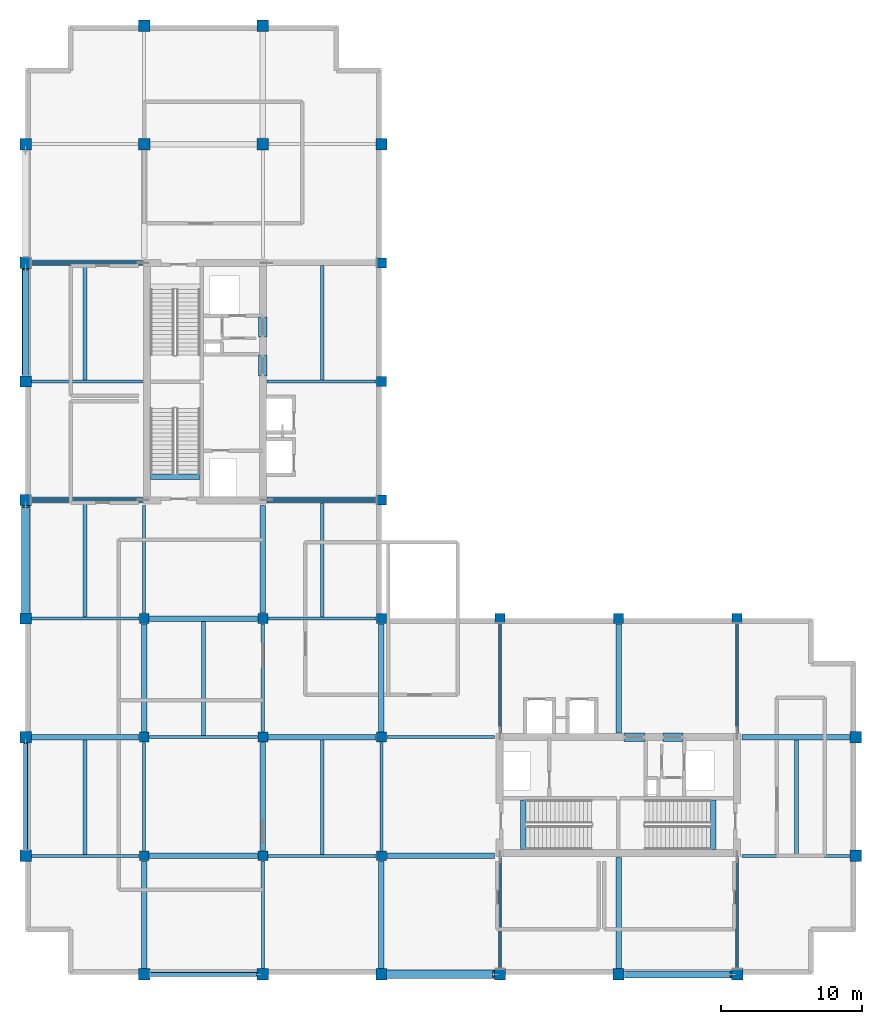
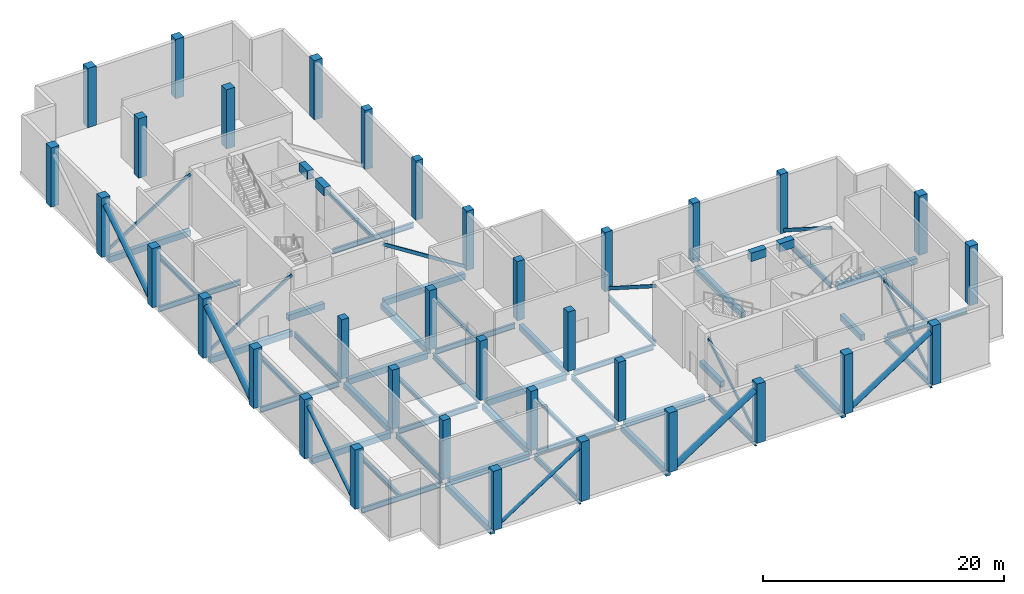
# One storey, part 1 of 14: 50 beams, 35 columns, 13 members.
"""IFC4 building model written with IfcOpenShell, lengths in metres."""

from ifc_helpers import new_model, si_unit, direction, frame, origin, origin_2d, place, context, subcontext, project, spatial, rectangle, hollow_rectangle, hollow_circle, i_section, extrude, material, material_profile, profile_set, type_object, element, save


model = new_model("IFC4")

# Units and contexts
model_context = context("Model", 3, precision=1e-05, world=origin(), true_north=direction((0.0, 1.0)))
body_context = subcontext(model_context, "Body", "Model", "MODEL_VIEW")
ifc_project = project(units=[si_unit("LENGTHUNIT", "METRE"), si_unit("AREAUNIT", "SQUARE_METRE"), si_unit("VOLUMEUNIT", "CUBIC_METRE"), si_unit("PLANEANGLEUNIT", "RADIAN"), si_unit("MASSUNIT", "GRAM", prefix="KILO")], contexts=[model_context])

# Site, building, storey
site_placement = place(None, origin())
site = spatial("IfcSite", under=ifc_project, at=site_placement, CompositionType="ELEMENT")
building_placement = place(site_placement, origin())
building = spatial("IfcBuilding", under=site, at=building_placement, Name="Koriwani Terraces Tower", CompositionType="ELEMENT")
storey_placement = place(building_placement, frame((0.0, 0.0, 294.800048828125)))
storey = spatial("IfcBuildingStorey", under=building, at=storey_placement, Name="L73", CompositionType="ELEMENT", Elevation=294.800048828125)

# Columns
ifc_material_1 = material(Name="Concrete C50/60", Category="concrete")
ifc_material_profile_1 = material_profile(ifc_material_1, rectangle(XDim=0.699951171875, YDim=0.699951171875, at=origin_2d()), Name="Concrete C50/60", Category="LoadBearing")
ifc_profile_set_1 = profile_set([ifc_material_profile_1], Name="Concrete C50/60")
column_type_1 = type_object("IfcColumnType", Name="COL_RC_700X700", PredefinedType="COLUMN", material=ifc_profile_set_1)
for number, where, z_axis, x_axis, name in (
    (1, (16.800048828125, 16.800048828125, 0.0), (0.0, 0.0, 1.0), (1.0, 0.0, 0.0), "L73 Column 3/C"),
    (2, (16.800048828125, 25.199951171875, 0.0), (0.0, 0.0, 1.0), (1.0, 0.0, 0.0), "L73 Column 3/D"),
    (3, (16.800048828125, 33.60009765625, 0.0), (0.0, 0.0, 1.0), (1.0, 0.0, 0.0), "L73 Column 3/E"),
    (4, (25.199951171875, 16.800048828125, 0.0), (0.0, 0.0, 1.0), (1.0, 0.0, 0.0), "L73 Column 4/C"),
    (5, (25.199951171875, 25.199951171875, 0.0), (0.0, 0.0, 1.0), (1.0, 0.0, 0.0), "L73 Column 4/D"),
    (6, (25.199951171875, 33.60009765625, 0.0), (0.0, 0.0, 1.0), (1.0, 0.0, 0.0), "L73 Column 4/E"),
    (7, (33.60009765625, 16.800048828125, 0.0), (0.0, 0.0, 1.0), (1.0, 0.0, 0.0), "L73 Column 5/C"),
    (8, (33.60009765625, 25.199951171875, 0.0), (0.0, 0.0, 1.0), (1.0, 0.0, 0.0), "L73 Column 5/D"),
    (9, (33.60009765625, 33.60009765625, 0.0), (0.0, 0.0, 1.0), (1.0, 0.0, 0.0), "L73 Column 5/E"),
    (10, (33.60009765625, 42.0, 0.0), (0.0, 0.0, 1.0), (1.0, 0.0, 0.0), "L73 Column 5/F"),
    (11, (33.60009765625, 50.39990234375, 0.0), (0.0, 0.0, 1.0), (1.0, 0.0, 0.0), "L73 Column 5/G"),
    (12, (33.60009765625, 58.800048828125, 0.0), (0.0, 0.0, 1.0), (1.0, 0.0, 0.0), "L73 Column 5/H"),
    (13, (42.0, 33.60009765625, 0.0), (0.0, 0.0, 1.0), (1.0, 0.0, 0.0), "L73 Column 6/E"),
    (14, (50.39990234375, 33.60009765625, 0.0), (0.0, 0.0, 1.0), (1.0, 0.0, 0.0), "L73 Column 7/E"),
    (15, (58.800048828125, 33.60009765625, 0.0), (0.0, 0.0, 1.0), (1.0, 0.0, 0.0), "L73 Column 8/E"),
):
    element("IfcColumn", number, at=place(storey_placement, frame(where, z_axis=z_axis, x_axis=x_axis)), inside=storey, type_object=column_type_1, Name=name, PredefinedType="COLUMN", context=body_context, shape_type="SweptSolid", body=[
        extrude(rectangle(XDim=0.699951171875, YDim=0.699951171875, at=origin_2d()), origin(), (0.0, 0.0, 1.0), 6.0),
    ])
ifc_material_profile_2 = material_profile(ifc_material_1, rectangle(XDim=0.800048828125, YDim=0.800048828125, at=origin_2d()), Name="Concrete C50/60", Category="LoadBearing")
ifc_profile_set_2 = profile_set([ifc_material_profile_2], Name="Concrete C50/60")
column_type_2 = type_object("IfcColumnType", Name="COL_RC_800X800", PredefinedType="COLUMN", material=ifc_profile_set_2)
for number, where, z_axis, x_axis, name in (
    (16, (8.39990234375, 16.800048828125, 0.0), (0.0, 0.0, 1.0), (1.0, 0.0, 0.0), "L73 Column 2/C"),
    (17, (8.39990234375, 25.199951171875, 0.0), (0.0, 0.0, 1.0), (1.0, 0.0, 0.0), "L73 Column 2/D"),
    (18, (8.39990234375, 33.60009765625, 0.0), (0.0, 0.0, 1.0), (1.0, 0.0, 0.0), "L73 Column 2/E"),
    (19, (8.39990234375, 42.0, 0.0), (0.0, 0.0, 1.0), (1.0, 0.0, 0.0), "L73 Column 2/F"),
    (20, (8.39990234375, 50.39990234375, 0.0), (0.0, 0.0, 1.0), (1.0, 0.0, 0.0), "L73 Column 2/G"),
    (21, (8.39990234375, 58.800048828125, 0.0), (0.0, 0.0, 1.0), (1.0, 0.0, 0.0), "L73 Column 2/H"),
    (22, (8.39990234375, 67.199951171875, 0.0), (0.0, 0.0, 1.0), (1.0, 0.0, 0.0), "L73 Column 2/I"),
    (23, (16.800048828125, 8.39990234375, 0.0), (0.0, 0.0, 1.0), (1.0, 0.0, 0.0), "L73 Column 3/B"),
    (24, (16.800048828125, 67.199951171875, 0.0), (0.0, 0.0, 1.0), (1.0, 0.0, 0.0), "L73 Column 3/I"),
    (25, (16.800048828125, 75.60009765625, 0.0), (0.0, 0.0, 1.0), (1.0, 0.0, 0.0), "L73 Column 3/J"),
    (26, (25.199951171875, 8.39990234375, 0.0), (0.0, 0.0, 1.0), (1.0, 0.0, 0.0), "L73 Column 4/B"),
    (27, (25.199951171875, 67.199951171875, 0.0), (0.0, 0.0, 1.0), (1.0, 0.0, 0.0), "L73 Column 4/I"),
    (28, (25.199951171875, 75.60009765625, 0.0), (0.0, 0.0, 1.0), (1.0, 0.0, 0.0), "L73 Column 4/J"),
    (29, (33.60009765625, 8.39990234375, 0.0), (0.0, 0.0, 1.0), (1.0, 0.0, 0.0), "L73 Column 5/B"),
    (30, (33.60009765625, 67.199951171875, 0.0), (0.0, 0.0, 1.0), (1.0, 0.0, 0.0), "L73 Column 5/I"),
    (31, (42.0, 8.39990234375, 0.0), (0.0, 0.0, 1.0), (1.0, 0.0, 0.0), "L73 Column 6/B"),
    (32, (50.39990234375, 8.39990234375, 0.0), (0.0, 0.0, 1.0), (1.0, 0.0, 0.0), "L73 Column 7/B"),
    (33, (58.800048828125, 8.39990234375, 0.0), (0.0, 0.0, 1.0), (1.0, 0.0, 0.0), "L73 Column 8/B"),
    (34, (67.199951171875, 16.800048828125, 0.0), (0.0, 0.0, 1.0), (1.0, 0.0, 0.0), "L73 Column 9/C"),
    (35, (67.199951171875, 25.199951171875, 0.0), (0.0, 0.0, 1.0), (1.0, 0.0, 0.0), "L73 Column 9/D"),
):
    element("IfcColumn", number, at=place(storey_placement, frame(where, z_axis=z_axis, x_axis=x_axis)), inside=storey, type_object=column_type_2, Name=name, PredefinedType="COLUMN", context=body_context, shape_type="SweptSolid", body=[
        extrude(rectangle(XDim=0.800048828125, YDim=0.800048828125, at=origin_2d()), origin(), (0.0, 0.0, 1.0), 6.0),
    ])

# Beams
ifc_material_profile_3 = material_profile(ifc_material_1, rectangle(XDim=0.60009765625, YDim=0.85009765625, at=origin_2d()), Name="Concrete C50/60", Category="LoadBearing")
ifc_profile_set_3 = profile_set([ifc_material_profile_3], Name="Concrete C50/60")
beam_type_1 = type_object("IfcBeamType", Name="BEAM_RC_COUPLING_600X850", PredefinedType="LINTEL", material=ifc_profile_set_3)
beam_1_placement = place(storey_placement, frame((25.199951171875, 50.800048828125, 5.344970703125), z_axis=(0.0, 1.0, 0.0), x_axis=(-1.0, 0.0, 0.0)))
element("IfcBeam", 36, at=beam_1_placement, inside=storey, type_object=beam_type_1, Name="L73 Core Coupling Lintel Beam WE1", PredefinedType="LINTEL", context=body_context, shape_type="SweptSolid", body=[
    extrude(rectangle(XDim=0.60009765625, YDim=0.85009765625, at=origin_2d()), origin(), (0.0, 0.0, 1.0), 1.47998046875),
])
beam_2_placement = place(storey_placement, frame((25.199951171875, 53.550048828125, 5.344970703125), z_axis=(0.0, 1.0, 0.0), x_axis=(-1.0, 0.0, 0.0)))
element("IfcBeam", 37, at=beam_2_placement, inside=storey, type_object=beam_type_1, Name="L73 Core Coupling Lintel Beam WE2", PredefinedType="LINTEL", context=body_context, shape_type="SweptSolid", body=[
    extrude(rectangle(XDim=0.60009765625, YDim=0.85009765625, at=origin_2d()), origin(), (0.0, 0.0, 1.0), 1.39990234375),
])
beam_3_placement = place(storey_placement, frame((50.800048828125, 25.199951171875, 5.344970703125), z_axis=(1.0, 0.0, 0.0), x_axis=(0.0, 1.0, 0.0)))
element("IfcBeam", 38, at=beam_3_placement, inside=storey, type_object=beam_type_1, Name="L73 Core Coupling Lintel Beam EN1", PredefinedType="LINTEL", context=body_context, shape_type="SweptSolid", body=[
    extrude(rectangle(XDim=0.60009765625, YDim=0.85009765625, at=origin_2d()), origin(), (0.0, 0.0, 1.0), 1.47998046875),
])
beam_4_placement = place(storey_placement, frame((53.550048828125, 25.199951171875, 5.344970703125), z_axis=(1.0, 0.0, 0.0), x_axis=(0.0, 1.0, 0.0)))
element("IfcBeam", 39, at=beam_4_placement, inside=storey, type_object=beam_type_1, Name="L73 Core Coupling Lintel Beam EN2", PredefinedType="LINTEL", context=body_context, shape_type="SweptSolid", body=[
    extrude(rectangle(XDim=0.60009765625, YDim=0.85009765625, at=origin_2d()), origin(), (0.0, 0.0, 1.0), 1.39990234375),
])
ifc_material_2 = material(Name="Concrete C40/50", Category="concrete")
ifc_material_profile_4 = material_profile(ifc_material_2, rectangle(XDim=0.39990234375, YDim=0.60009765625, at=origin_2d()), Name="Concrete C40/50", Category="LoadBearing")
ifc_profile_set_4 = profile_set([ifc_material_profile_4], Name="Concrete C40/50")
beam_type_2 = type_object("IfcBeamType", Name="BEAM_RC_GRID_400X600", PredefinedType="BEAM", material=ifc_profile_set_4)
for number, where, z_axis, x_axis, name in (
    (40, (17.25, 43.655029296875, -0.300048828125), (1.0, 0.0, 0.0), (0.0, 1.0, 0.0), "L73 Stairwell Header Trimmer Beam ST-W1"),
    (41, (43.655029296875, 17.25, -0.300048828125), (0.0, 1.0, 0.0), (-1.0, 0.0, 0.0), "L73 Stairwell Header Trimmer Beam ST-E1"),
    (42, (57.094970703125, 17.25, -0.300048828125), (0.0, 1.0, 0.0), (-1.0, 0.0, 0.0), "L73 Stairwell Header Trimmer Beam ST-E2"),
):
    element("IfcBeam", number, at=place(storey_placement, frame(where, z_axis=z_axis, x_axis=x_axis)), inside=storey, type_object=beam_type_2, Name=name, PredefinedType="BEAM", context=body_context, shape_type="SweptSolid", body=[
        extrude(rectangle(XDim=0.39990234375, YDim=0.60009765625, at=origin_2d()), origin(), (0.0, 0.0, 1.0), 3.5),
    ])
for number, where, z_axis, x_axis, name in (
    (43, (17.179931640625, 16.800048828125, -0.650146484375), (1.0, 0.0, 0.0), (0.0, 1.0, 0.0), "L73 Grid Beam C (16.8-25.2m)"),
    (44, (33.97998046875, 16.800048828125, -0.650146484375), (1.0, 0.0, 0.0), (0.0, 1.0, 0.0), "L73 Grid Beam C (33.6-42.0m)"),
):
    element("IfcBeam", number, at=place(storey_placement, frame(where, z_axis=z_axis, x_axis=x_axis)), inside=storey, type_object=beam_type_2, Name=name, PredefinedType="BEAM", context=body_context, shape_type="SweptSolid", body=[
        extrude(rectangle(XDim=0.39990234375, YDim=0.60009765625, at=origin_2d()), origin(), (0.0, 0.0, 1.0), 7.64013671875),
    ])
beam_5_placement = place(storey_placement, frame((8.830078125, 25.199951171875, -0.650146484375), z_axis=(1.0, 0.0, 0.0), x_axis=(0.0, 1.0, 0.0)))
element("IfcBeam", 45, at=beam_5_placement, inside=storey, type_object=beam_type_2, Name="L73 Grid Beam D (8.4-16.8m)", PredefinedType="BEAM", context=body_context, shape_type="SweptSolid", body=[
    extrude(rectangle(XDim=0.39990234375, YDim=0.60009765625, at=origin_2d()), origin(), (0.0, 0.0, 1.0), 7.58984375),
])
beam_6_placement = place(storey_placement, frame((25.580078125, 25.199951171875, -0.650146484375), z_axis=(1.0, 0.0, 0.0), x_axis=(0.0, 1.0, 0.0)))
element("IfcBeam", 46, at=beam_6_placement, inside=storey, type_object=beam_type_2, Name="L73 Grid Beam D (25.2-33.6m)", PredefinedType="BEAM", context=body_context, shape_type="SweptSolid", body=[
    extrude(rectangle(XDim=0.39990234375, YDim=0.60009765625, at=origin_2d()), origin(), (0.0, 0.0, 1.0), 7.639892578125),
])
for number, where, z_axis, x_axis, name in (
    (47, (59.1298828125, 25.199951171875, -0.650146484375), (1.0, 0.0, 0.0), (0.0, 1.0, 0.0), "L73 Grid Beam D (58.8-67.2m)"),
    (48, (17.179931640625, 33.60009765625, -0.650146484375), (1.0, 0.0, 0.0), (0.0, 1.0, 0.0), "L73 Grid Beam E (16.8-25.2m)"),
):
    element("IfcBeam", number, at=place(storey_placement, frame(where, z_axis=z_axis, x_axis=x_axis)), inside=storey, type_object=beam_type_2, Name=name, PredefinedType="BEAM", context=body_context, shape_type="SweptSolid", body=[
        extrude(rectangle(XDim=0.39990234375, YDim=0.60009765625, at=origin_2d()), origin(), (0.0, 0.0, 1.0), 7.64013671875),
    ])
beam_7_placement = place(storey_placement, frame((8.830078125, 42.0, -0.650146484375), z_axis=(1.0, 0.0, 0.0), x_axis=(0.0, 1.0, 0.0)))
element("IfcBeam", 49, at=beam_7_placement, inside=storey, type_object=beam_type_2, Name="L73 Grid Beam F (8.4-16.8m)", PredefinedType="BEAM", context=body_context, shape_type="SweptSolid", body=[
    extrude(rectangle(XDim=0.39990234375, YDim=0.60009765625, at=origin_2d()), origin(), (0.0, 0.0, 1.0), 7.83984375),
])
beam_8_placement = place(storey_placement, frame((25.47998046875, 42.0, -0.650146484375), z_axis=(1.0, 0.0, 0.0), x_axis=(0.0, 1.0, 0.0)))
element("IfcBeam", 50, at=beam_8_placement, inside=storey, type_object=beam_type_2, Name="L73 Grid Beam F (25.2-33.6m)", PredefinedType="BEAM", context=body_context, shape_type="SweptSolid", body=[
    extrude(rectangle(XDim=0.39990234375, YDim=0.60009765625, at=origin_2d()), origin(), (0.0, 0.0, 1.0), 7.739990234375),
])
beam_9_placement = place(storey_placement, frame((8.830078125, 58.800048828125, -0.650146484375), z_axis=(1.0, 0.0, 0.0), x_axis=(0.0, 1.0, 0.0)))
element("IfcBeam", 51, at=beam_9_placement, inside=storey, type_object=beam_type_2, Name="L73 Grid Beam H (8.4-16.8m)", PredefinedType="BEAM", context=body_context, shape_type="SweptSolid", body=[
    extrude(rectangle(XDim=0.39990234375, YDim=0.60009765625, at=origin_2d()), origin(), (0.0, 0.0, 1.0), 7.83984375),
])
beam_10_placement = place(storey_placement, frame((16.800048828125, 8.830078125, -0.650146484375), z_axis=(0.0, 1.0, 0.0), x_axis=(-1.0, 0.0, 0.0)))
element("IfcBeam", 52, at=beam_10_placement, inside=storey, type_object=beam_type_2, Name="L73 Grid Beam 3 (8.4-16.8m)", PredefinedType="BEAM", context=body_context, shape_type="SweptSolid", body=[
    extrude(rectangle(XDim=0.39990234375, YDim=0.60009765625, at=origin_2d()), origin(), (0.0, 0.0, 1.0), 7.58984375),
])
beam_11_placement = place(storey_placement, frame((16.800048828125, 25.580078125, -0.650146484375), z_axis=(0.0, 1.0, 0.0), x_axis=(-1.0, 0.0, 0.0)))
element("IfcBeam", 53, at=beam_11_placement, inside=storey, type_object=beam_type_2, Name="L73 Grid Beam 3 (25.2-33.6m)", PredefinedType="BEAM", context=body_context, shape_type="SweptSolid", body=[
    extrude(rectangle(XDim=0.39990234375, YDim=0.60009765625, at=origin_2d()), origin(), (0.0, 0.0, 1.0), 7.639892578125),
])
for number, where, z_axis, x_axis, name in (
    (54, (25.199951171875, 17.179931640625, -0.650146484375), (0.0, 1.0, 0.0), (-1.0, 0.0, 0.0), "L73 Grid Beam 4 (16.8-25.2m)"),
    (55, (25.199951171875, 33.97998046875, -0.650146484375), (0.0, 1.0, 0.0), (-1.0, 0.0, 0.0), "L73 Grid Beam 4 (33.6-42.0m)"),
):
    element("IfcBeam", number, at=place(storey_placement, frame(where, z_axis=z_axis, x_axis=x_axis)), inside=storey, type_object=beam_type_2, Name=name, PredefinedType="BEAM", context=body_context, shape_type="SweptSolid", body=[
        extrude(rectangle(XDim=0.39990234375, YDim=0.60009765625, at=origin_2d()), origin(), (0.0, 0.0, 1.0), 7.64013671875),
    ])
beam_12_placement = place(storey_placement, frame((33.60009765625, 8.830078125, -0.650146484375), z_axis=(0.0, 1.0, 0.0), x_axis=(-1.0, 0.0, 0.0)))
element("IfcBeam", 56, at=beam_12_placement, inside=storey, type_object=beam_type_2, Name="L73 Grid Beam 5 (8.4-16.8m)", PredefinedType="BEAM", context=body_context, shape_type="SweptSolid", body=[
    extrude(rectangle(XDim=0.39990234375, YDim=0.60009765625, at=origin_2d()), origin(), (0.0, 0.0, 1.0), 7.58984375),
])
beam_13_placement = place(storey_placement, frame((33.60009765625, 25.580078125, -0.650146484375), z_axis=(0.0, 1.0, 0.0), x_axis=(-1.0, 0.0, 0.0)))
element("IfcBeam", 57, at=beam_13_placement, inside=storey, type_object=beam_type_2, Name="L73 Grid Beam 5 (25.2-33.6m)", PredefinedType="BEAM", context=body_context, shape_type="SweptSolid", body=[
    extrude(rectangle(XDim=0.39990234375, YDim=0.60009765625, at=origin_2d()), origin(), (0.0, 0.0, 1.0), 7.639892578125),
])
beam_14_placement = place(storey_placement, frame((50.39990234375, 8.830078125, -0.650146484375), z_axis=(0.0, 1.0, 0.0), x_axis=(-1.0, 0.0, 0.0)))
element("IfcBeam", 58, at=beam_14_placement, inside=storey, type_object=beam_type_2, Name="L73 Grid Beam 7 (8.4-16.8m)", PredefinedType="BEAM", context=body_context, shape_type="SweptSolid", body=[
    extrude(rectangle(XDim=0.39990234375, YDim=0.60009765625, at=origin_2d()), origin(), (0.0, 0.0, 1.0), 7.83984375),
])
beam_15_placement = place(storey_placement, frame((50.39990234375, 25.47998046875, -0.650146484375), z_axis=(0.0, 1.0, 0.0), x_axis=(-1.0, 0.0, 0.0)))
element("IfcBeam", 59, at=beam_15_placement, inside=storey, type_object=beam_type_2, Name="L73 Grid Beam 7 (25.2-33.6m)", PredefinedType="BEAM", context=body_context, shape_type="SweptSolid", body=[
    extrude(rectangle(XDim=0.39990234375, YDim=0.60009765625, at=origin_2d()), origin(), (0.0, 0.0, 1.0), 7.739990234375),
])

# Members
ifc_material_3 = material(Name="Steel ASTM A572 Grade 50", Category="steel")
ifc_material_profile_5 = material_profile(ifc_material_3, hollow_circle(Radius=0.162109375, WallThickness=0.012451171875, at=origin_2d()), Name="Steel ASTM A572 Grade 50", Category="LoadBearing")
ifc_profile_set_5 = profile_set([ifc_material_profile_5], Name="Steel ASTM A572 Grade 50")
member_type_1 = type_object("IfcMemberType", Name="BELT_TRUSS_DIAG_CHS324X12", PredefinedType="BRACE", material=ifc_profile_set_5)
for number, where, z_axis, x_axis, name in (
    (60, (17.179931640625, 8.39990234375, 0.25), (0.838248950605, 0.0, 0.54528771929), (0.0, 1.0, 0.0), "Belt truss diagonal L73-BS1"),
    (61, (8.39990234375, 17.179931640625, 0.25), (0.0, 0.838248950605, 0.54528771929), (-1.0, 0.0, 0.0), "Belt truss diagonal L73-BW1"),
):
    element("IfcMember", number, at=place(storey_placement, frame(where, z_axis=z_axis, x_axis=x_axis)), inside=storey, type_object=member_type_1, Name=name, PredefinedType="BRACE", context=body_context, shape_type="SweptSolid", body=[
        extrude(hollow_circle(Radius=0.162109375, WallThickness=0.012451171875, at=origin_2d()), origin(), (0.0, 0.0, 1.0), 9.114501953125),
    ])
ifc_material_profile_6 = material_profile(ifc_material_3, hollow_circle(Radius=0.25390625, WallThickness=0.02001953125, at=origin_2d()), Name="Steel ASTM A572 Grade 50", Category="LoadBearing")
ifc_profile_set_6 = profile_set([ifc_material_profile_6], Name="Steel ASTM A572 Grade 50")
member_type_2 = type_object("IfcMemberType", Name="BELT_TRUSS_DIAG_CHS508X20", PredefinedType="STRUT", material=ifc_profile_set_6)
for number, where, z_axis, x_axis, name in (
    (62, (50.780029296875, 8.39990234375, 0.25), (0.838240985748, 0.0, 0.545299963151), (0.0, 1.0, 0.0), "Belt truss diagonal L73-BS3"),
    (63, (8.39990234375, 50.780029296875, 0.25), (0.0, 0.838240985748, 0.545299963151), (-1.0, 0.0, 0.0), "Belt truss diagonal L73-BW3"),
):
    element("IfcMember", number, at=place(storey_placement, frame(where, z_axis=z_axis, x_axis=x_axis)), inside=storey, type_object=member_type_2, Name=name, PredefinedType="STRUT", context=body_context, shape_type="SweptSolid", body=[
        extrude(hollow_circle(Radius=0.25390625, WallThickness=0.02001953125, at=origin_2d()), origin(), (0.0, 0.0, 1.0), 9.1142578125),
    ])
ifc_material_profile_7 = material_profile(ifc_material_3, hollow_circle(Radius=0.304931640625, WallThickness=0.02490234375, at=origin_2d()), Name="Steel ASTM A572 Grade 50", Category="LoadBearing")
ifc_profile_set_7 = profile_set([ifc_material_profile_7], Name="Steel ASTM A572 Grade 50")
member_type_3 = type_object("IfcMemberType", Name="BELT_TRUSS_DIAG_CHS610X25", PredefinedType="STRUT", material=ifc_profile_set_7)
for number, where, z_axis, x_axis, name in (
    (64, (33.97998046875, 8.39990234375, 0.25), (0.838248950605, 0.0, 0.54528771929), (0.0, 1.0, 0.0), "Belt truss diagonal L73-BS2"),
    (65, (8.39990234375, 33.97998046875, 0.25), (0.0, 0.838248950605, 0.54528771929), (-1.0, 0.0, 0.0), "Belt truss diagonal L73-BW2"),
):
    element("IfcMember", number, at=place(storey_placement, frame(where, z_axis=z_axis, x_axis=x_axis)), inside=storey, type_object=member_type_3, Name=name, PredefinedType="STRUT", context=body_context, shape_type="SweptSolid", body=[
        extrude(hollow_circle(Radius=0.304931640625, WallThickness=0.02490234375, at=origin_2d()), origin(), (0.0, 0.0, 1.0), 9.114501953125),
    ])
ifc_material_profile_8 = material_profile(ifc_material_3, hollow_rectangle(XDim=0.14990234375, YDim=0.300048828125, WallThickness=0.010009765625, at=origin_2d()), Name="Steel ASTM A572 Grade 50", Category="LoadBearing")
ifc_profile_set_8 = profile_set([ifc_material_profile_8], Name="Steel ASTM A572 Grade 50")
member_type_4 = type_object("IfcMemberType", Name="OUTRIGGER_BRACE_HSS300X150X10", PredefinedType="BRACE", material=ifc_profile_set_8)
for number, where, z_axis, x_axis, name in (
    (66, (8.780029296875, 42.0, 0.25), (0.847938318955, 0.0, 0.530094904001), (0.0, 1.0, 0.0), "Outrigger truss diagonal L73-OW-W1"),
    (67, (8.780029296875, 58.800048828125, 0.25), (0.847938318955, 0.0, 0.530094904001), (0.0, 1.0, 0.0), "Outrigger truss diagonal L73-OW-W2"),
):
    element("IfcMember", number, at=place(storey_placement, frame(where, z_axis=z_axis, x_axis=x_axis)), inside=storey, type_object=member_type_4, Name=name, PredefinedType="BRACE", context=body_context, shape_type="SweptSolid", body=[
        extrude(hollow_rectangle(XDim=0.14990234375, YDim=0.300048828125, WallThickness=0.010009765625, at=origin_2d()), origin(), (0.0, 0.0, 1.0), 9.375732421875),
    ])
member_placement = place(storey_placement, frame((33.27001953125, 42.0, 0.25), z_axis=(-0.843352660519, 0.0, 0.537360484215), x_axis=(0.0, -1.0, 0.0)))
element("IfcMember", 68, at=member_placement, inside=storey, type_object=member_type_4, Name="Outrigger truss diagonal L73-OW-E1", PredefinedType="BRACE", context=body_context, shape_type="SweptSolid", body=[
    extrude(hollow_rectangle(XDim=0.14990234375, YDim=0.300048828125, WallThickness=0.010009765625, at=origin_2d()), origin(), (0.0, 0.0, 1.0), 9.248779296875),
])
for number, where, z_axis, x_axis, name in (
    (69, (42.0, 8.780029296875, 0.25), (0.0, 0.847938318955, 0.530094904001), (-1.0, 0.0, 0.0), "Outrigger truss diagonal L73-OE-S1"),
    (70, (58.800048828125, 8.780029296875, 0.25), (0.0, 0.847938318955, 0.530094904001), (-1.0, 0.0, 0.0), "Outrigger truss diagonal L73-OE-S2"),
):
    element("IfcMember", number, at=place(storey_placement, frame(where, z_axis=z_axis, x_axis=x_axis)), inside=storey, type_object=member_type_4, Name=name, PredefinedType="BRACE", context=body_context, shape_type="SweptSolid", body=[
        extrude(hollow_rectangle(XDim=0.14990234375, YDim=0.300048828125, WallThickness=0.010009765625, at=origin_2d()), origin(), (0.0, 0.0, 1.0), 9.375732421875),
    ])
for number, where, z_axis, x_axis, name in (
    (71, (42.0, 33.27001953125, 0.25), (0.0, -0.843352660519, 0.537360484215), (1.0, 0.0, 0.0), "Outrigger truss diagonal L73-OE-N1"),
    (72, (58.800048828125, 33.27001953125, 0.25), (0.0, -0.843352660519, 0.537360484215), (1.0, 0.0, 0.0), "Outrigger truss diagonal L73-OE-N2"),
):
    element("IfcMember", number, at=place(storey_placement, frame(where, z_axis=z_axis, x_axis=x_axis)), inside=storey, type_object=member_type_4, Name=name, PredefinedType="BRACE", context=body_context, shape_type="SweptSolid", body=[
        extrude(hollow_rectangle(XDim=0.14990234375, YDim=0.300048828125, WallThickness=0.010009765625, at=origin_2d()), origin(), (0.0, 0.0, 1.0), 9.248779296875),
    ])

# Beams
ifc_material_profile_9 = material_profile(ifc_material_3, i_section(OverallWidth=0.257080078125, OverallDepth=0.363037109375, WebThickness=0.012939453125, FlangeThickness=0.021728515625, at=origin_2d()), Name="Steel ASTM A572 Grade 50", Category="LoadBearing")
ifc_profile_set_9 = profile_set([ifc_material_profile_9], Name="Steel ASTM A572 Grade 50")
beam_type_3 = type_object("IfcBeamType", Name="STEEL_BEAM_W360X122", PredefinedType="JOIST", material=ifc_profile_set_9)
for number, where, z_axis, x_axis, name in (
    (73, (12.60009765625, 16.8955078125, -0.531494140625), (0.0, 1.0, 0.0), (-1.0, 0.0, 0.0), "L73 Secondary Steel Floor Joist X=12.6m"),
    (74, (12.60009765625, 33.695556640625, -0.531494140625), (0.0, 1.0, 0.0), (-1.0, 0.0, 0.0), "L73 Secondary Steel Floor Joist X=12.6m"),
    (75, (12.60009765625, 50.49560546875, -0.531494140625), (0.0, 1.0, 0.0), (-1.0, 0.0, 0.0), "L73 Secondary Steel Floor Joist X=12.6m"),
    (76, (21.0, 25.29541015625, -0.531494140625), (0.0, 1.0, 0.0), (-1.0, 0.0, 0.0), "L73 Secondary Steel Floor Joist X=21.0m"),
    (77, (29.39990234375, 16.8955078125, -0.531494140625), (0.0, 1.0, 0.0), (-1.0, 0.0, 0.0), "L73 Secondary Steel Floor Joist X=29.4m"),
    (78, (29.39990234375, 33.695556640625, -0.531494140625), (0.0, 1.0, 0.0), (-1.0, 0.0, 0.0), "L73 Secondary Steel Floor Joist X=29.4m"),
    (79, (29.39990234375, 50.49560546875, -0.531494140625), (0.0, 1.0, 0.0), (-1.0, 0.0, 0.0), "L73 Secondary Steel Floor Joist X=29.4m"),
    (80, (63.0, 16.8955078125, -0.531494140625), (0.0, 1.0, 0.0), (-1.0, 0.0, 0.0), "L73 Secondary Steel Floor Joist X=63.0m"),
):
    element("IfcBeam", number, at=place(storey_placement, frame(where, z_axis=z_axis, x_axis=x_axis)), inside=storey, type_object=beam_type_3, Name=name, PredefinedType="JOIST", context=body_context, shape_type="SweptSolid", body=[
        extrude(i_section(OverallWidth=0.257080078125, OverallDepth=0.363037109375, WebThickness=0.012939453125, FlangeThickness=0.021728515625, at=origin_2d()), origin(), (0.0, 0.0, 1.0), 8.114501953125),
    ])
ifc_material_profile_10 = material_profile(ifc_material_3, i_section(OverallWidth=0.2109375, OverallDepth=0.5390625, WebThickness=0.01171875, FlangeThickness=0.018798828125, at=origin_2d()), Name="Steel ASTM A572 Grade 50", Category="LoadBearing")
ifc_profile_set_10 = profile_set([ifc_material_profile_10], Name="Steel ASTM A572 Grade 50")
beam_type_4 = type_object("IfcBeamType", Name="STEEL_BEAM_W530X109", PredefinedType="BEAM", material=ifc_profile_set_10)
beam_16_placement = place(storey_placement, frame((8.830078125, 16.800048828125, -0.61962890625), z_axis=(1.0, 0.0, 0.0), x_axis=(0.0, 1.0, 0.0)))
element("IfcBeam", 81, at=beam_16_placement, inside=storey, type_object=beam_type_4, Name="L73 Grid Beam C (8.4-16.8m)", PredefinedType="BEAM", context=body_context, shape_type="SweptSolid", body=[
    extrude(i_section(OverallWidth=0.2109375, OverallDepth=0.5390625, WebThickness=0.01171875, FlangeThickness=0.018798828125, at=origin_2d()), origin(), (0.0, 0.0, 1.0), 7.58984375),
])
beam_17_placement = place(storey_placement, frame((25.580078125, 16.800048828125, -0.61962890625), z_axis=(1.0, 0.0, 0.0), x_axis=(0.0, 1.0, 0.0)))
element("IfcBeam", 82, at=beam_17_placement, inside=storey, type_object=beam_type_4, Name="L73 Grid Beam C (25.2-33.6m)", PredefinedType="BEAM", context=body_context, shape_type="SweptSolid", body=[
    extrude(i_section(OverallWidth=0.2109375, OverallDepth=0.5390625, WebThickness=0.01171875, FlangeThickness=0.018798828125, at=origin_2d()), origin(), (0.0, 0.0, 1.0), 7.639892578125),
])
for number, where, z_axis, x_axis, name in (
    (83, (59.1298828125, 16.800048828125, -0.61962890625), (1.0, 0.0, 0.0), (0.0, 1.0, 0.0), "L73 Grid Beam C (58.8-67.2m)"),
    (84, (17.179931640625, 25.199951171875, -0.61962890625), (1.0, 0.0, 0.0), (0.0, 1.0, 0.0), "L73 Grid Beam D (16.8-25.2m)"),
    (85, (33.97998046875, 25.199951171875, -0.61962890625), (1.0, 0.0, 0.0), (0.0, 1.0, 0.0), "L73 Grid Beam D (33.6-42.0m)"),
):
    element("IfcBeam", number, at=place(storey_placement, frame(where, z_axis=z_axis, x_axis=x_axis)), inside=storey, type_object=beam_type_4, Name=name, PredefinedType="BEAM", context=body_context, shape_type="SweptSolid", body=[
        extrude(i_section(OverallWidth=0.2109375, OverallDepth=0.5390625, WebThickness=0.01171875, FlangeThickness=0.018798828125, at=origin_2d()), origin(), (0.0, 0.0, 1.0), 7.64013671875),
    ])
beam_18_placement = place(storey_placement, frame((8.830078125, 33.60009765625, -0.61962890625), z_axis=(1.0, 0.0, 0.0), x_axis=(0.0, 1.0, 0.0)))
element("IfcBeam", 86, at=beam_18_placement, inside=storey, type_object=beam_type_4, Name="L73 Grid Beam E (8.4-16.8m)", PredefinedType="BEAM", context=body_context, shape_type="SweptSolid", body=[
    extrude(i_section(OverallWidth=0.2109375, OverallDepth=0.5390625, WebThickness=0.01171875, FlangeThickness=0.018798828125, at=origin_2d()), origin(), (0.0, 0.0, 1.0), 7.58984375),
])
beam_19_placement = place(storey_placement, frame((25.580078125, 33.60009765625, -0.61962890625), z_axis=(1.0, 0.0, 0.0), x_axis=(0.0, 1.0, 0.0)))
element("IfcBeam", 87, at=beam_19_placement, inside=storey, type_object=beam_type_4, Name="L73 Grid Beam E (25.2-33.6m)", PredefinedType="BEAM", context=body_context, shape_type="SweptSolid", body=[
    extrude(i_section(OverallWidth=0.2109375, OverallDepth=0.5390625, WebThickness=0.01171875, FlangeThickness=0.018798828125, at=origin_2d()), origin(), (0.0, 0.0, 1.0), 7.639892578125),
])
beam_20_placement = place(storey_placement, frame((8.830078125, 50.39990234375, -0.61962890625), z_axis=(1.0, 0.0, 0.0), x_axis=(0.0, 1.0, 0.0)))
element("IfcBeam", 88, at=beam_20_placement, inside=storey, type_object=beam_type_4, Name="L73 Grid Beam G (8.4-16.8m)", PredefinedType="BEAM", context=body_context, shape_type="SweptSolid", body=[
    extrude(i_section(OverallWidth=0.2109375, OverallDepth=0.5390625, WebThickness=0.01171875, FlangeThickness=0.018798828125, at=origin_2d()), origin(), (0.0, 0.0, 1.0), 7.83984375),
])
beam_21_placement = place(storey_placement, frame((25.47998046875, 50.39990234375, -0.61962890625), z_axis=(1.0, 0.0, 0.0), x_axis=(0.0, 1.0, 0.0)))
element("IfcBeam", 89, at=beam_21_placement, inside=storey, type_object=beam_type_4, Name="L73 Grid Beam G (25.2-33.6m)", PredefinedType="BEAM", context=body_context, shape_type="SweptSolid", body=[
    extrude(i_section(OverallWidth=0.2109375, OverallDepth=0.5390625, WebThickness=0.01171875, FlangeThickness=0.018798828125, at=origin_2d()), origin(), (0.0, 0.0, 1.0), 7.739990234375),
])
for number, where, z_axis, x_axis, name in (
    (90, (16.800048828125, 17.179931640625, -0.61962890625), (0.0, 1.0, 0.0), (-1.0, 0.0, 0.0), "L73 Grid Beam 3 (16.8-25.2m)"),
    (91, (16.800048828125, 33.97998046875, -0.61962890625), (0.0, 1.0, 0.0), (-1.0, 0.0, 0.0), "L73 Grid Beam 3 (33.6-42.0m)"),
):
    element("IfcBeam", number, at=place(storey_placement, frame(where, z_axis=z_axis, x_axis=x_axis)), inside=storey, type_object=beam_type_4, Name=name, PredefinedType="BEAM", context=body_context, shape_type="SweptSolid", body=[
        extrude(i_section(OverallWidth=0.2109375, OverallDepth=0.5390625, WebThickness=0.01171875, FlangeThickness=0.018798828125, at=origin_2d()), origin(), (0.0, 0.0, 1.0), 7.64013671875),
    ])
beam_22_placement = place(storey_placement, frame((25.199951171875, 8.830078125, -0.61962890625), z_axis=(0.0, 1.0, 0.0), x_axis=(-1.0, 0.0, 0.0)))
element("IfcBeam", 92, at=beam_22_placement, inside=storey, type_object=beam_type_4, Name="L73 Grid Beam 4 (8.4-16.8m)", PredefinedType="BEAM", context=body_context, shape_type="SweptSolid", body=[
    extrude(i_section(OverallWidth=0.2109375, OverallDepth=0.5390625, WebThickness=0.01171875, FlangeThickness=0.018798828125, at=origin_2d()), origin(), (0.0, 0.0, 1.0), 7.58984375),
])
beam_23_placement = place(storey_placement, frame((25.199951171875, 25.580078125, -0.61962890625), z_axis=(0.0, 1.0, 0.0), x_axis=(-1.0, 0.0, 0.0)))
element("IfcBeam", 93, at=beam_23_placement, inside=storey, type_object=beam_type_4, Name="L73 Grid Beam 4 (25.2-33.6m)", PredefinedType="BEAM", context=body_context, shape_type="SweptSolid", body=[
    extrude(i_section(OverallWidth=0.2109375, OverallDepth=0.5390625, WebThickness=0.01171875, FlangeThickness=0.018798828125, at=origin_2d()), origin(), (0.0, 0.0, 1.0), 7.639892578125),
])
beam_24_placement = place(storey_placement, frame((33.60009765625, 17.179931640625, -0.61962890625), z_axis=(0.0, 1.0, 0.0), x_axis=(-1.0, 0.0, 0.0)))
element("IfcBeam", 94, at=beam_24_placement, inside=storey, type_object=beam_type_4, Name="L73 Grid Beam 5 (16.8-25.2m)", PredefinedType="BEAM", context=body_context, shape_type="SweptSolid", body=[
    extrude(i_section(OverallWidth=0.2109375, OverallDepth=0.5390625, WebThickness=0.01171875, FlangeThickness=0.018798828125, at=origin_2d()), origin(), (0.0, 0.0, 1.0), 7.64013671875),
])
beam_25_placement = place(storey_placement, frame((42.0, 8.830078125, -0.61962890625), z_axis=(0.0, 1.0, 0.0), x_axis=(-1.0, 0.0, 0.0)))
element("IfcBeam", 95, at=beam_25_placement, inside=storey, type_object=beam_type_4, Name="L73 Grid Beam 6 (8.4-16.8m)", PredefinedType="BEAM", context=body_context, shape_type="SweptSolid", body=[
    extrude(i_section(OverallWidth=0.2109375, OverallDepth=0.5390625, WebThickness=0.01171875, FlangeThickness=0.018798828125, at=origin_2d()), origin(), (0.0, 0.0, 1.0), 7.83984375),
])
beam_26_placement = place(storey_placement, frame((42.0, 25.47998046875, -0.61962890625), z_axis=(0.0, 1.0, 0.0), x_axis=(-1.0, 0.0, 0.0)))
element("IfcBeam", 96, at=beam_26_placement, inside=storey, type_object=beam_type_4, Name="L73 Grid Beam 6 (25.2-33.6m)", PredefinedType="BEAM", context=body_context, shape_type="SweptSolid", body=[
    extrude(i_section(OverallWidth=0.2109375, OverallDepth=0.5390625, WebThickness=0.01171875, FlangeThickness=0.018798828125, at=origin_2d()), origin(), (0.0, 0.0, 1.0), 7.739990234375),
])
beam_27_placement = place(storey_placement, frame((58.800048828125, 8.830078125, -0.61962890625), z_axis=(0.0, 1.0, 0.0), x_axis=(-1.0, 0.0, 0.0)))
element("IfcBeam", 97, at=beam_27_placement, inside=storey, type_object=beam_type_4, Name="L73 Grid Beam 8 (8.4-16.8m)", PredefinedType="BEAM", context=body_context, shape_type="SweptSolid", body=[
    extrude(i_section(OverallWidth=0.2109375, OverallDepth=0.5390625, WebThickness=0.01171875, FlangeThickness=0.018798828125, at=origin_2d()), origin(), (0.0, 0.0, 1.0), 7.83984375),
])
beam_28_placement = place(storey_placement, frame((58.800048828125, 25.47998046875, -0.61962890625), z_axis=(0.0, 1.0, 0.0), x_axis=(-1.0, 0.0, 0.0)))
element("IfcBeam", 98, at=beam_28_placement, inside=storey, type_object=beam_type_4, Name="L73 Grid Beam 8 (25.2-33.6m)", PredefinedType="BEAM", context=body_context, shape_type="SweptSolid", body=[
    extrude(i_section(OverallWidth=0.2109375, OverallDepth=0.5390625, WebThickness=0.01171875, FlangeThickness=0.018798828125, at=origin_2d()), origin(), (0.0, 0.0, 1.0), 7.739990234375),
])

save(model, "model.ifc")
